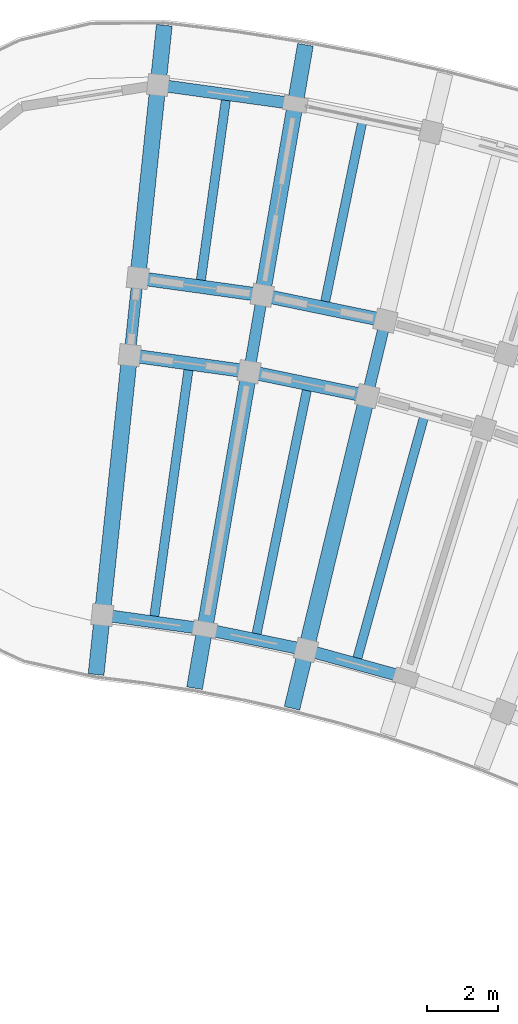
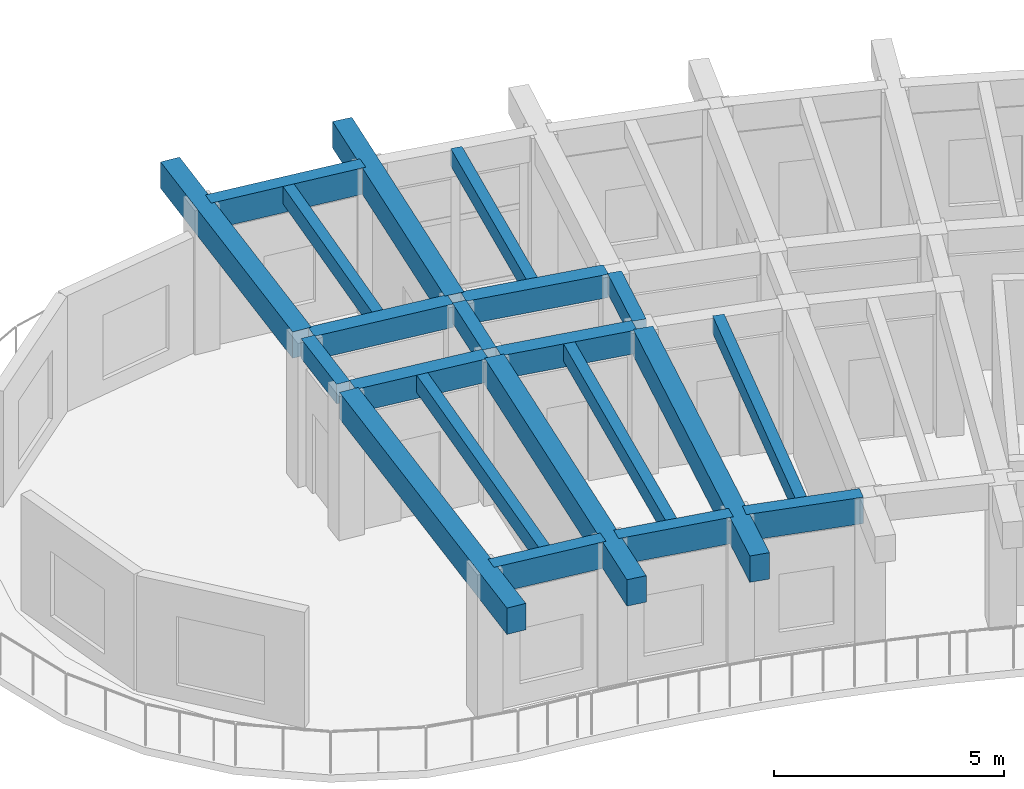
# One storey, part 53 of 128: 21 beams.
"""IFC4 building model written with IfcOpenShell, lengths in metres."""

from ifc_helpers import new_model, si_unit, direction, frame, origin, origin_2d, place, context, subcontext, project, spatial, rectangle, extrude, material, material_profile, profile_set, type_object, element, save


model = new_model("IFC4")

# Units and contexts
model_context = context("Model", 3, precision=1e-05, world=origin(), true_north=direction((0.0, 1.0)))
body_context = subcontext(model_context, "Body", "Model", "MODEL_VIEW")
ifc_project = project(units=[si_unit("LENGTHUNIT", "METRE"), si_unit("AREAUNIT", "SQUARE_METRE"), si_unit("VOLUMEUNIT", "CUBIC_METRE"), si_unit("PLANEANGLEUNIT", "RADIAN"), si_unit("MASSUNIT", "GRAM", prefix="KILO")], contexts=[model_context])

# Site, building, storey
site_placement = place(None, origin())
site = spatial("IfcSite", under=ifc_project, at=site_placement, CompositionType="ELEMENT")
building_placement = place(site_placement, origin())
building = spatial("IfcBuilding", under=site, at=building_placement, Name="Tanwirah Colonnade Gardens", CompositionType="ELEMENT")
storey_placement = place(building_placement, frame((0.0, 0.0, 4.760009765625)))
storey = spatial("IfcBuildingStorey", under=building, at=storey_placement, Name="L01", CompositionType="ELEMENT", Elevation=4.760009765625)

# Beams
ifc_material_1 = material(Name="Precast concrete C40/50", Category="concrete")
ifc_material_profile_1 = material_profile(ifc_material_1, rectangle(XDim=0.320068359375, YDim=0.52001953125, at=origin_2d()), Name="PC-BM 320x520")
ifc_profile_set_1 = profile_set([ifc_material_profile_1], Name="Precast concrete C40/50")
beam_type_1 = type_object("IfcBeamType", Name="BM-PC320", PredefinedType="BEAM", material=ifc_profile_set_1)
for number, where, z_axis, x_axis, name in (
    (1, (133.188232421875, 110.75146484375, 3.56494140625), (0.234364199778, 0.972148868159, 0.0), (-0.972148868159, 0.234364199778, 0.0), "Block B L01 Corridor Tie Beam 16"),
    (2, (129.8310546875, 111.444580078125, 3.56494140625), (0.169855285462, 0.985469016256, 0.0), (-0.985469016256, 0.169855285462, 0.0), "Block B L01 Corridor Tie Beam 17"),
    (3, (126.435546875, 111.9150390625, 3.56494140625), (0.104464057197, 0.994528662611, 0.0), (-0.994528662611, 0.104464057197, 0.0), "Block B L01 Corridor Tie Beam 18"),
):
    element("IfcBeam", number, at=place(storey_placement, frame(where, z_axis=z_axis, x_axis=x_axis)), inside=storey, type_object=beam_type_1, Name=name, PredefinedType="BEAM", context=body_context, shape_type="SweptSolid", body=[
        extrude(rectangle(XDim=0.320068359375, YDim=0.52001953125, at=origin_2d()), origin(), (0.0, 0.0, 1.0), 1.900146484375),
    ])
ifc_material_profile_2 = material_profile(ifc_material_1, rectangle(XDim=0.3798828125, YDim=0.6201171875, at=origin_2d()), Name="PC-BM 380x620")
ifc_profile_set_2 = profile_set([ifc_material_profile_2], Name="Precast concrete C40/50")
beam_type_2 = type_object("IfcBeamType", Name="BM-PC380", PredefinedType="BEAM", material=ifc_profile_set_2)
beam_1_placement = place(storey_placement, frame((133.006103515625, 110.635986328125, 3.514892578125), z_axis=(-0.979335880607, 0.202240532428, 0.0), x_axis=(-0.202240532428, -0.979335880607, 0.0)))
element("IfcBeam", 4, at=beam_1_placement, inside=storey, type_object=beam_type_2, Name="Block B L01 Circumferential Beam 16-R1", PredefinedType="BEAM", context=body_context, shape_type="SweptSolid", body=[
    extrude(rectangle(XDim=0.3798828125, YDim=0.6201171875, at=origin_2d()), origin(), (0.0, 0.0, 1.0), 3.1181640625),
])
beam_2_placement = place(storey_placement, frame((133.521728515625, 112.774658203125, 3.514892578125), z_axis=(-0.979335599813, 0.202241892146, 0.0), x_axis=(-0.202241892146, -0.979335599813, 0.0)))
element("IfcBeam", 5, at=beam_2_placement, inside=storey, type_object=beam_type_2, Name="Block B L01 Circumferential Beam 16-R2", PredefinedType="BEAM", context=body_context, shape_type="SweptSolid", body=[
    extrude(rectangle(XDim=0.3798828125, YDim=0.6201171875, at=origin_2d()), origin(), (0.0, 0.0, 1.0), 3.262939453125),
])
beam_3_placement = place(storey_placement, frame((129.656982421875, 111.3173828125, 3.514892578125), z_axis=(-0.990535787723, 0.137254702069, 0.0), x_axis=(-0.137254702069, -0.990535787723, 0.0)))
element("IfcBeam", 6, at=beam_3_placement, inside=storey, type_object=beam_type_2, Name="Block B L01 Circumferential Beam 17-R1", PredefinedType="BEAM", context=body_context, shape_type="SweptSolid", body=[
    extrude(rectangle(XDim=0.3798828125, YDim=0.6201171875, at=origin_2d()), origin(), (0.0, 0.0, 1.0), 3.1181640625),
])
beam_4_placement = place(storey_placement, frame((130.030517578125, 113.4853515625, 3.514892578125), z_axis=(-0.990530465749, 0.13729310406, 0.0), x_axis=(-0.13729310406, -0.990530465749, 0.0)))
element("IfcBeam", 7, at=beam_4_placement, inside=storey, type_object=beam_type_2, Name="Block B L01 Circumferential Beam 17-R2", PredefinedType="BEAM", context=body_context, shape_type="SweptSolid", body=[
    extrude(rectangle(XDim=0.3798828125, YDim=0.6201171875, at=origin_2d()), origin(), (0.0, 0.0, 1.0), 3.26318359375),
])
ifc_material_2 = material(Name="Precast concrete C45/55", Category="concrete")
ifc_material_profile_3 = material_profile(ifc_material_2, rectangle(XDim=0.449951171875, YDim=0.699951171875, at=origin_2d()), Name="PC-BM 450x700")
ifc_profile_set_3 = profile_set([ifc_material_profile_3], Name="Precast concrete C45/55")
beam_type_3 = type_object("IfcBeamType", Name="BM-PC450", PredefinedType="BEAM", material=ifc_profile_set_3)
for number, where, z_axis, x_axis, name in (
    (8, (133.117919921875, 110.459716796875, 3.47509765625), (-0.234401428133, -0.972139892448, 0.0), (0.972139892448, -0.234401428133, 0.0), "Block B L01 Inner Radial Precast Girder 16"),
    (9, (129.780029296875, 111.14892578125, 3.47509765625), (-0.169837490725, -0.985472083189, 0.0), (0.985472083189, -0.169837490725, 0.0), "Block B L01 Inner Radial Precast Girder 17"),
):
    element("IfcBeam", number, at=place(storey_placement, frame(where, z_axis=z_axis, x_axis=x_axis)), inside=storey, type_object=beam_type_3, Name=name, PredefinedType="BEAM", context=body_context, shape_type="SweptSolid", body=[
        extrude(rectangle(XDim=0.449951171875, YDim=0.699951171875, at=origin_2d()), origin(), (0.0, 0.0, 1.0), 8.949951171875),
    ])
beam_5_placement = place(storey_placement, frame((130.20458984375, 113.61279296875, 3.47509765625), z_axis=(0.169826898404, 0.985473908624, 0.0), x_axis=(-0.985473908624, 0.169826898404, 0.0)))
element("IfcBeam", 10, at=beam_5_placement, inside=storey, type_object=beam_type_3, Name="Block B L01 Outer Radial Precast Girder 17", PredefinedType="BEAM", context=body_context, shape_type="SweptSolid", body=[
    extrude(rectangle(XDim=0.449951171875, YDim=0.699951171875, at=origin_2d()), origin(), (0.0, 0.0, 1.0), 7.0498046875),
])
beam_6_placement = place(storey_placement, frame((126.404052734375, 111.61669921875, 3.47509765625), z_axis=(-0.104531425475, -0.994521584023, 0.0), x_axis=(0.994521584023, -0.104531425475, 0.0)))
element("IfcBeam", 11, at=beam_6_placement, inside=storey, type_object=beam_type_3, Name="Block B L01 Inner Radial Precast Girder 18", PredefinedType="BEAM", context=body_context, shape_type="SweptSolid", body=[
    extrude(rectangle(XDim=0.449951171875, YDim=0.699951171875, at=origin_2d()), origin(), (0.0, 0.0, 1.0), 8.949951171875),
])
beam_7_placement = place(storey_placement, frame((126.66552734375, 114.10302734375, 3.47509765625), z_axis=(0.104511730475, 0.994523653913, 0.0), x_axis=(-0.994523653913, 0.104511730475, 0.0)))
element("IfcBeam", 12, at=beam_7_placement, inside=storey, type_object=beam_type_3, Name="Block B L01 Outer Radial Precast Girder 18", PredefinedType="BEAM", context=body_context, shape_type="SweptSolid", body=[
    extrude(rectangle(XDim=0.449951171875, YDim=0.699951171875, at=origin_2d()), origin(), (0.0, 0.0, 1.0), 7.050048828125),
])
ifc_material_profile_4 = material_profile(ifc_material_1, rectangle(XDim=0.260009765625, YDim=0.4599609375, at=origin_2d()), Name="PC-JST 260x460")
ifc_profile_set_4 = profile_set([ifc_material_profile_4], Name="Precast concrete C40/50")
beam_type_4 = type_object("IfcBeamType", Name="JST-PC260", PredefinedType="JOIST", material=ifc_profile_set_4)
beam_8_placement = place(storey_placement, frame((132.869140625, 103.16064453125, 3.594970703125), z_axis=(0.266307034535, 0.963888252526, 0.0), x_axis=(-0.963888252526, 0.266307034535, 0.0)))
element("IfcBeam", 13, at=beam_8_placement, inside=storey, type_object=beam_type_4, Name="Block B L01 Inner Precast Floor Joist 15", PredefinedType="JOIST", context=body_context, shape_type="SweptSolid", body=[
    extrude(rectangle(XDim=0.260009765625, YDim=0.4599609375, at=origin_2d()), origin(), (0.0, 0.0, 1.0), 7.159912109375),
])
beam_9_placement = place(storey_placement, frame((131.9541015625, 113.2509765625, 3.594970703125), z_axis=(0.202235688429, 0.979336880918, 0.0), x_axis=(-0.979336880918, 0.202235688429, 0.0)))
element("IfcBeam", 14, at=beam_9_placement, inside=storey, type_object=beam_type_4, Name="Block B L01 Precast Floor Joist 16", PredefinedType="JOIST", context=body_context, shape_type="SweptSolid", body=[
    extrude(rectangle(XDim=0.260009765625, YDim=0.4599609375, at=origin_2d()), origin(), (0.0, 0.0, 1.0), 5.259765625),
])
beam_10_placement = place(storey_placement, frame((130.012939453125, 103.84912109375, 3.594970703125), z_axis=(0.202197428816, 0.979344780851, 0.0), x_axis=(-0.979344780851, 0.202197428816, 0.0)))
element("IfcBeam", 15, at=beam_10_placement, inside=storey, type_object=beam_type_4, Name="Block B L01 Inner Precast Floor Joist 16", PredefinedType="JOIST", context=body_context, shape_type="SweptSolid", body=[
    extrude(rectangle(XDim=0.260009765625, YDim=0.4599609375, at=origin_2d()), origin(), (0.0, 0.0, 1.0), 7.16015625),
])
beam_11_placement = place(storey_placement, frame((128.43505859375, 113.857421875, 3.594970703125), z_axis=(0.137248344923, 0.990536668587, 0.0), x_axis=(-0.990536668587, 0.137248344923, 0.0)))
element("IfcBeam", 16, at=beam_11_placement, inside=storey, type_object=beam_type_4, Name="Block B L01 Precast Floor Joist 17", PredefinedType="JOIST", context=body_context, shape_type="SweptSolid", body=[
    extrude(rectangle(XDim=0.260009765625, YDim=0.4599609375, at=origin_2d()), origin(), (0.0, 0.0, 1.0), 5.260009765625),
])
beam_12_placement = place(storey_placement, frame((127.117431640625, 104.34814453125, 3.594970703125), z_axis=(0.137243132462, 0.99053739081, 0.0), x_axis=(-0.99053739081, 0.137243132462, 0.0)))
element("IfcBeam", 17, at=beam_12_placement, inside=storey, type_object=beam_type_4, Name="Block B L01 Inner Precast Floor Joist 17", PredefinedType="JOIST", context=body_context, shape_type="SweptSolid", body=[
    extrude(rectangle(XDim=0.260009765625, YDim=0.4599609375, at=origin_2d()), origin(), (0.0, 0.0, 1.0), 7.16015625),
])
ifc_material_profile_5 = material_profile(ifc_material_2, rectangle(XDim=0.340087890625, YDim=0.699951171875, at=origin_2d()), Name="PC-SP 340x700")
ifc_profile_set_5 = profile_set([ifc_material_profile_5], Name="Precast concrete C45/55")
beam_type_5 = type_object("IfcBeamType", Name="SP-PC340", PredefinedType="SPANDREL", material=ifc_profile_set_5)
for number, where, z_axis, x_axis, name in (
    (18, (134.098388671875, 102.67138671875, 3.47509765625), (-0.96388669146, 0.266312684688, 0.0), (-0.266312684688, -0.96388669146, 0.0), "Block B L01 Circumferential Beam 15-R0"),
    (19, (131.271728515625, 103.442138671875, 3.47509765625), (-0.979351764611, 0.202163599974, 0.0), (-0.202163599974, -0.979351764611, 0.0), "Block B L01 Circumferential Beam 16-R0"),
    (20, (128.400146484375, 104.02490234375, 3.47509765625), (-0.990531232354, 0.13728757311, 0.0), (-0.13728757311, -0.990531232354, 0.0), "Block B L01 Circumferential Beam 17-R0"),
):
    element("IfcBeam", number, at=place(storey_placement, frame(where, z_axis=z_axis, x_axis=x_axis)), inside=storey, type_object=beam_type_5, Name=name, PredefinedType="SPANDREL", context=body_context, shape_type="SweptSolid", body=[
        extrude(rectangle(XDim=0.340087890625, YDim=0.699951171875, at=origin_2d()), origin(), (0.0, 0.0, 1.0), 2.630126953125),
    ])
beam_13_placement = place(storey_placement, frame((130.964599609375, 118.905517578125, 3.47509765625), z_axis=(-0.990538603978, 0.137234376268, 0.0), x_axis=(-0.137234376268, -0.990538603978, 0.0)))
element("IfcBeam", 21, at=beam_13_placement, inside=storey, type_object=beam_type_5, Name="Block B L01 Circumferential Beam 17-R3", PredefinedType="SPANDREL", context=body_context, shape_type="SweptSolid", body=[
    extrude(rectangle(XDim=0.340087890625, YDim=0.699951171875, at=origin_2d()), origin(), (0.0, 0.0, 1.0), 3.625732421875),
])

save(model, "model.ifc")
